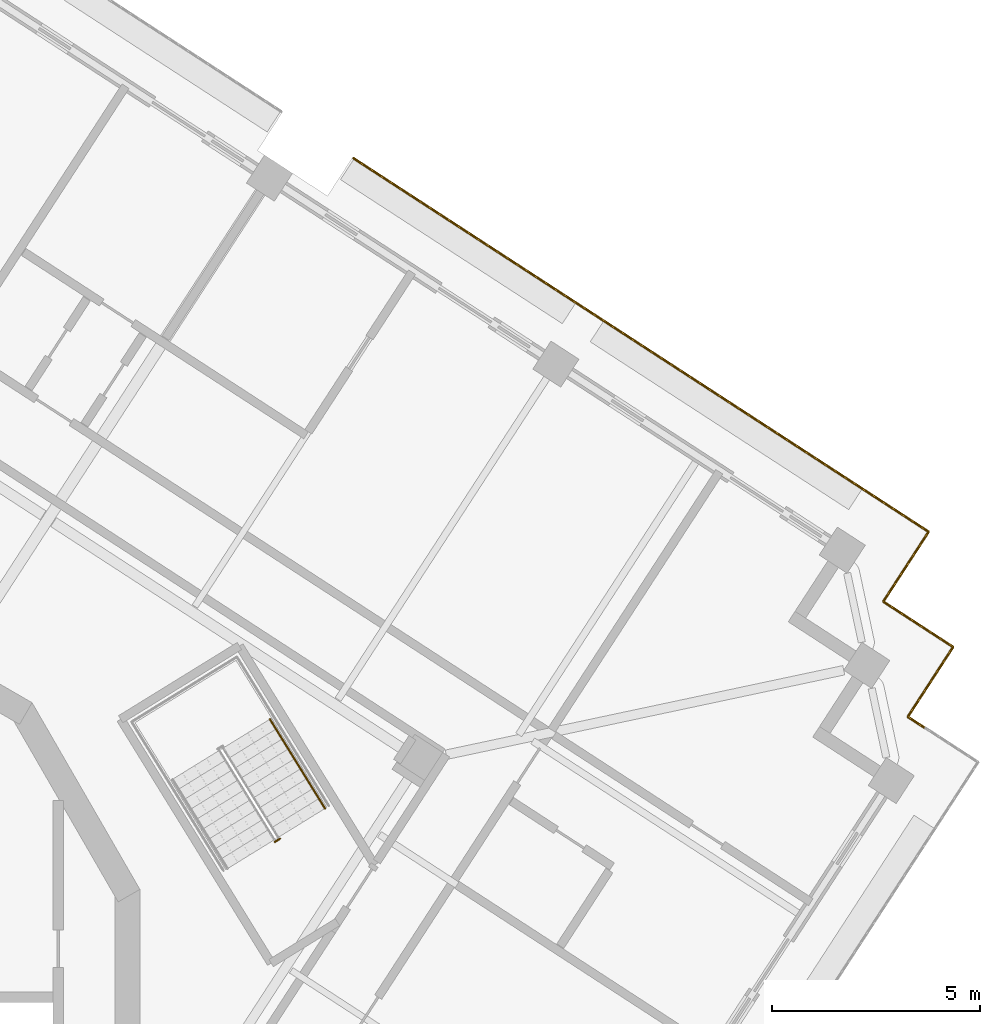
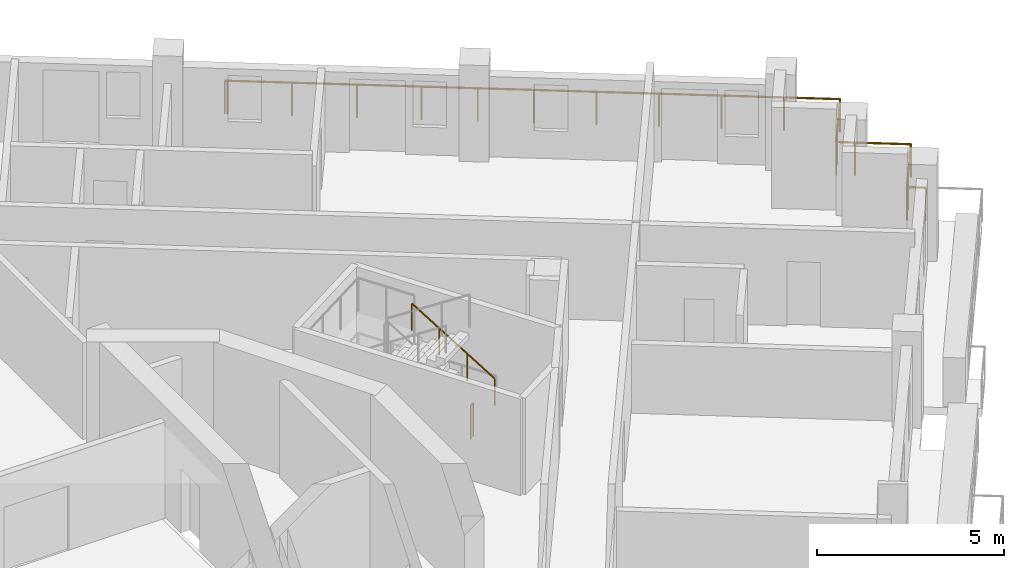
# One storey, part 15 of 17: 3 railings.
"""IFC4 building model written with IfcOpenShell, lengths in metres."""

from ifc_helpers import new_model, si_unit, direction, frame, origin, origin_2d, place, context, subcontext, project, spatial, circle, extrude, material, type_object, element, save


model = new_model("IFC4")

# Units and contexts
model_context = context("Model", 3, precision=1e-05, world=origin(), true_north=direction((0.0, 1.0)))
body_context = subcontext(model_context, "Body", "Model", "MODEL_VIEW")
ifc_project = project(units=[si_unit("LENGTHUNIT", "METRE"), si_unit("AREAUNIT", "SQUARE_METRE"), si_unit("VOLUMEUNIT", "CUBIC_METRE"), si_unit("PLANEANGLEUNIT", "RADIAN"), si_unit("MASSUNIT", "GRAM", prefix="KILO")], contexts=[model_context])

# Site, building, storey
site_placement = place(None, origin())
site = spatial("IfcSite", under=ifc_project, at=site_placement, CompositionType="ELEMENT")
building_placement = place(site_placement, origin())
building = spatial("IfcBuilding", under=site, at=building_placement, Name="Cantera Rosa Tower", CompositionType="ELEMENT")
storey_placement = place(building_placement, frame((0.0, 0.0, 286.5)))
storey = spatial("IfcBuildingStorey", under=building, at=storey_placement, Name="L65", CompositionType="ELEMENT", Elevation=286.5)

# Railings
ifc_material_1 = material(Name="Stainless steel and laminated glass", Category="steel")
railing_type_1 = type_object("IfcRailingType", Name="GUARD 1100", PredefinedType="BALUSTRADE", material=ifc_material_1)
railing_1_placement = place(storey_placement, frame((14.7880859375, 20.14599609375, 0.0)))
element("IfcRailing", 1, at=railing_1_placement, inside=storey, type_object=railing_type_1, Name="GUARD L65-11", PredefinedType="BALUSTRADE", context=body_context, shape_type="SweptSolid", body=[
    extrude(circle(Radius=0.030029296875, at=origin_2d()), frame((0.0, 0.0, 1.070068359375), z_axis=(0.838443616301, -0.544988350595, 0.0), x_axis=(0.544988350595, 0.838443616301, 0.0)), (0.0, 0.0, 1.0), 0.06982421875),
    extrude(circle(Radius=0.030029296875, at=origin_2d()), frame((0.05859375, -0.0380859375, 1.070068359375), z_axis=(0.838657010828, -0.544659910576, 0.0), x_axis=(0.544659910576, 0.838657010828, 0.0)), (0.0, 0.0, 1.0), 5.2001953125),
    extrude(circle(Radius=0.030029296875, at=origin_2d()), frame((4.419677734375, -2.870361328125, 1.070068359375), z_axis=(0.8387001057, -0.544593548161, 0.0), x_axis=(0.544593548161, 0.8387001057, 0.0)), (0.0, 0.0, 1.0), 3.0),
    extrude(circle(Radius=0.030029296875, at=origin_2d()), frame((6.935791015625, -4.504150390625, 1.070068359375), z_axis=(0.838666659313, -0.544645053734, 0.0), x_axis=(0.544645053734, 0.838666659313, 0.0)), (0.0, 0.0, 1.0), 6.7001953125),
    extrude(circle(Radius=0.030029296875, at=origin_2d()), frame((12.554931640625, -8.1533203125, 1.070068359375), z_axis=(0.838651824232, -0.544667896716, 0.0), x_axis=(0.544667896716, 0.838651824232, 0.0)), (0.0, 0.0, 1.0), 1.499755859375),
    extrude(circle(Radius=0.030029296875, at=origin_2d()), frame((13.812744140625, -8.97021484375, 1.070068359375), z_axis=(-0.544593548161, -0.8387001057, 0.0), x_axis=(0.8387001057, -0.544593548161, 0.0)), (0.0, 0.0, 1.0), 1.5),
    extrude(circle(Radius=0.030029296875, at=origin_2d()), frame((12.995849609375, -10.228271484375, 1.070068359375), z_axis=(-0.544627753175, -0.83867789435, 0.0), x_axis=(0.83867789435, -0.544627753175, 0.0)), (0.0, 0.0, 1.0), 0.499755859375),
    extrude(circle(Radius=0.030029296875, at=origin_2d()), frame((12.7236328125, -10.6474609375, 1.070068359375), z_axis=(0.838454772945, -0.544971186143, 0.0), x_axis=(0.544971186143, 0.838454772945, 0.0)), (0.0, 0.0, 1.0), 0.5),
    extrude(circle(Radius=0.030029296875, at=origin_2d()), frame((13.142822265625, -10.919921875, 1.070068359375), z_axis=(0.8387001057, -0.544593548161, 0.0), x_axis=(0.544593548161, 0.8387001057, 0.0)), (0.0, 0.0, 1.0), 1.5),
    extrude(circle(Radius=0.030029296875, at=origin_2d()), frame((14.40087890625, -11.73681640625, 1.070068359375), z_axis=(-0.544593548161, -0.8387001057, 0.0), x_axis=(0.8387001057, -0.544593548161, 0.0)), (0.0, 0.0, 1.0), 1.5),
    extrude(circle(Radius=0.030029296875, at=origin_2d()), frame((13.583984375, -12.994873046875, 1.070068359375), z_axis=(-0.544627753175, -0.83867789435, 0.0), x_axis=(0.83867789435, -0.544627753175, 0.0)), (0.0, 0.0, 1.0), 0.499755859375),
    extrude(circle(Radius=0.030029296875, at=origin_2d()), frame((13.311767578125, -13.4140625, 1.070068359375), z_axis=(0.838454772945, -0.544971186143, 0.0), x_axis=(0.544971186143, 0.838454772945, 0.0)), (0.0, 0.0, 1.0), 0.5),
    extrude(circle(Radius=0.02490234375, at=origin_2d()), origin(), (0.0, 0.0, 1.0), 1.0400390625),
    extrude(circle(Radius=0.02490234375, at=origin_2d()), frame((0.05859375, -0.0380859375, 0.0)), (0.0, 0.0, 1.0), 1.0400390625),
    extrude(circle(Radius=0.02490234375, at=origin_2d()), frame((1.51220703125, -0.982177734375, 0.0)), (0.0, 0.0, 1.0), 1.0400390625),
    extrude(circle(Radius=0.02490234375, at=origin_2d()), frame((2.966064453125, -1.92626953125, 0.0)), (0.0, 0.0, 1.0), 1.0400390625),
    extrude(circle(Radius=0.02490234375, at=origin_2d()), frame((4.419677734375, -2.870361328125, 0.0)), (0.0, 0.0, 1.0), 1.0400390625),
    extrude(circle(Radius=0.02490234375, at=origin_2d()), frame((5.677734375, -3.687255859375, 0.0)), (0.0, 0.0, 1.0), 1.0400390625),
    extrude(circle(Radius=0.02490234375, at=origin_2d()), frame((6.935791015625, -4.504150390625, 0.0)), (0.0, 0.0, 1.0), 1.0400390625),
    extrude(circle(Radius=0.02490234375, at=origin_2d()), frame((8.340576171875, -5.41650390625, 0.0)), (0.0, 0.0, 1.0), 1.0400390625),
    extrude(circle(Radius=0.02490234375, at=origin_2d()), frame((9.745361328125, -6.32861328125, 0.0)), (0.0, 0.0, 1.0), 1.0400390625),
    extrude(circle(Radius=0.02490234375, at=origin_2d()), frame((11.150146484375, -7.240966796875, 0.0)), (0.0, 0.0, 1.0), 1.0400390625),
    extrude(circle(Radius=0.02490234375, at=origin_2d()), frame((12.554931640625, -8.1533203125, 0.0)), (0.0, 0.0, 1.0), 1.0400390625),
    extrude(circle(Radius=0.02490234375, at=origin_2d()), frame((13.812744140625, -8.97021484375, 0.0)), (0.0, 0.0, 1.0), 1.0400390625),
    extrude(circle(Radius=0.02490234375, at=origin_2d()), frame((12.995849609375, -10.228271484375, 0.0)), (0.0, 0.0, 1.0), 1.0400390625),
    extrude(circle(Radius=0.02490234375, at=origin_2d()), frame((12.7236328125, -10.6474609375, 0.0)), (0.0, 0.0, 1.0), 1.0400390625),
    extrude(circle(Radius=0.02490234375, at=origin_2d()), frame((13.142822265625, -10.919921875, 0.0)), (0.0, 0.0, 1.0), 1.0400390625),
    extrude(circle(Radius=0.02490234375, at=origin_2d()), frame((14.40087890625, -11.73681640625, 0.0)), (0.0, 0.0, 1.0), 1.0400390625),
    extrude(circle(Radius=0.02490234375, at=origin_2d()), frame((13.583984375, -12.994873046875, 0.0)), (0.0, 0.0, 1.0), 1.0400390625),
    extrude(circle(Radius=0.02490234375, at=origin_2d()), frame((13.311767578125, -13.4140625, 0.0)), (0.0, 0.0, 1.0), 1.0400390625),
    extrude(circle(Radius=0.02490234375, at=origin_2d()), frame((13.73095703125, -13.6865234375, 0.0)), (0.0, 0.0, 1.0), 1.0400390625),
])
ifc_material_2 = material(Name="Steel S355J2 (EN 10025-2)", Category="steel")
railing_type_2 = type_object("IfcRailingType", Name="STAIR GUARD 1100", PredefinedType="GUARDRAIL", material=ifc_material_2)
railing_2_placement = place(storey_placement, frame((13.025146484375, 3.80517578125, 0.0)))
element("IfcRailing", 2, at=railing_2_placement, inside=storey, type_object=railing_type_2, Name="L65 ST-51 stair guard 3", PredefinedType="GUARDRAIL", context=body_context, shape_type="SweptSolid", body=[
    extrude(circle(Radius=0.02392578125, at=origin_2d()), frame((0.0, 0.0, 1.076171875), z_axis=(-0.851546489876, -0.524279100842, 0.0), x_axis=(0.524279100842, -0.851546489876, 0.0)), (0.0, 0.0, 1.0), 0.14990234375),
    extrude(circle(Radius=0.02099609375, at=origin_2d()), origin(), (0.0, 0.0, 1.0), 1.052001953125),
    extrude(circle(Radius=0.02099609375, at=origin_2d()), frame((-0.127685546875, -0.07861328125, 0.0)), (0.0, 0.0, 1.0), 1.052001953125),
])
ifc_material_3 = material(Name="Steel S355J2 (EN 10025-2)", Category="steel")
railing_type_3 = type_object("IfcRailingType", Name="STAIR HANDRAIL 900", PredefinedType="HANDRAIL", material=ifc_material_3)
railing_3_placement = place(storey_placement, frame((14.105224609375, 4.5302734375, 0.179931640625)))
element("IfcRailing", 3, at=railing_3_placement, inside=storey, type_object=railing_type_3, Name="L65 ST-51 stair handrail 1", PredefinedType="HANDRAIL", context=body_context, shape_type="SweptSolid", body=[
    extrude(circle(Radius=0.02392578125, at=origin_2d()), frame((0.0, 0.0, 0.8759765625), z_axis=(-0.441609067481, 0.715913574058, 0.540785711718), x_axis=(-0.851102330005, -0.524999832248, 0.0)), (0.0, 0.0, 1.0), 2.995849609375),
    extrude(circle(Radius=0.02099609375, at=origin_2d()), origin(), (0.0, 0.0, 1.0), 0.851806640625),
    extrude(circle(Radius=0.02099609375, at=origin_2d()), frame((-0.44091796875, 0.71484375, 0.5400390625)), (0.0, 0.0, 1.0), 0.851806640625),
    extrude(circle(Radius=0.02099609375, at=origin_2d()), frame((-0.882080078125, 1.429931640625, 1.080078125)), (0.0, 0.0, 1.0), 0.851806640625),
    extrude(circle(Radius=0.02099609375, at=origin_2d()), frame((-1.322998046875, 2.144775390625, 1.6201171875)), (0.0, 0.0, 1.0), 0.851806640625),
])

save(model, "model.ifc")
